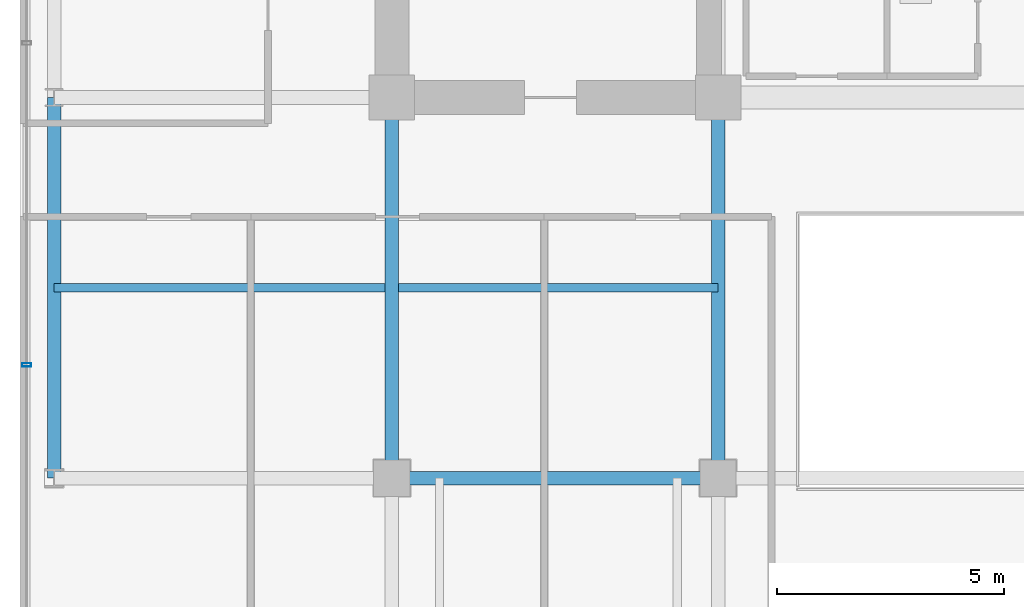
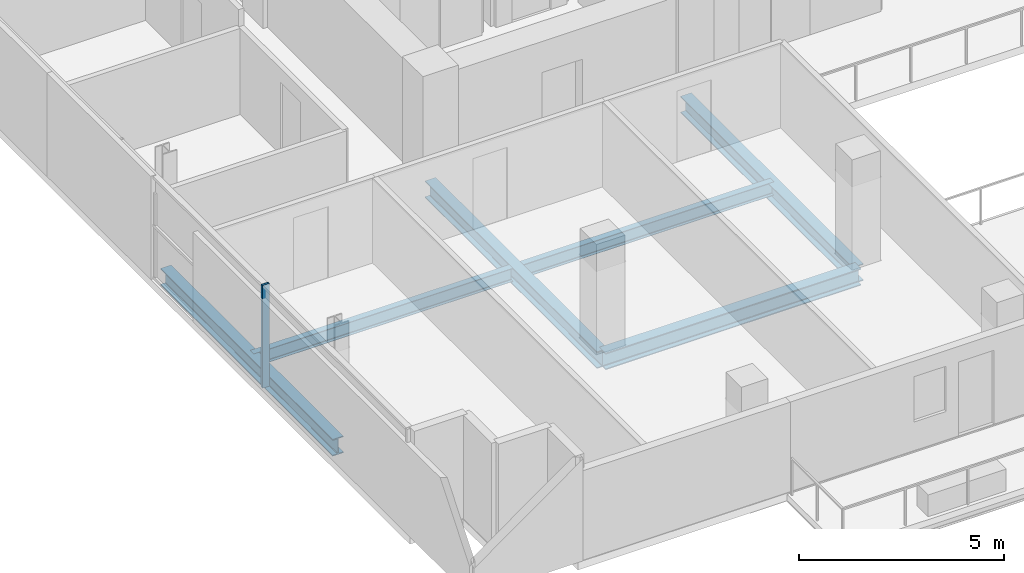
# One storey, part 4 of 23: 6 beams, 1 member, 1 element without a shape of its own.
"""IFC4 building model written with IfcOpenShell, lengths in metres."""

from ifc_helpers import new_model, si_unit, direction, frame, origin, origin_2d, place, context, subcontext, project, spatial, hollow_rectangle, i_section, extrude, source, transform, mapped, material, layer, layer_set, material_profile, profile_set, type_object, element, aggregate, save


model = new_model("IFC4")

# Units and contexts
model_context = context("Model", 3, precision=1e-05, world=origin(), true_north=direction((0.0, 1.0)))
body_context = subcontext(model_context, "Body", "Model", "MODEL_VIEW")
ifc_project = project(units=[si_unit("LENGTHUNIT", "METRE"), si_unit("AREAUNIT", "SQUARE_METRE"), si_unit("VOLUMEUNIT", "CUBIC_METRE"), si_unit("PLANEANGLEUNIT", "RADIAN"), si_unit("MASSUNIT", "GRAM", prefix="KILO")], contexts=[model_context])

# Site, building, storey
site_placement = place(None, origin())
site = spatial("IfcSite", under=ifc_project, at=site_placement, CompositionType="ELEMENT")
building_placement = place(site_placement, origin())
building = spatial("IfcBuilding", under=site, at=building_placement, Name="Zarnakvel Exchange Tower", CompositionType="ELEMENT")
storey_placement = place(building_placement, frame((0.0, 0.0, 175.89990234375)))
storey = spatial("IfcBuildingStorey", under=building, at=storey_placement, Name="L49", CompositionType="ELEMENT", Elevation=175.89990234375)

# Beams
ifc_material_1 = material(Name="Steel S355", Category="steel")
ifc_material_profile_1 = material_profile(ifc_material_1, i_section(OverallWidth=0.179931640625, OverallDepth=0.39990234375, WebThickness=0.008544921875, FlangeThickness=0.013427734375, FilletRadius=0.02099609375, at=origin_2d()))
ifc_profile_set_1 = profile_set([ifc_material_profile_1], Name="Steel S355")
beam_type_1 = type_object("IfcBeamType", Name="B-06", PredefinedType="JOIST", material=ifc_profile_set_1)
beam_1_placement = place(storey_placement, frame((-21.85009765625, -5.39990234375, -0.4248046875), z_axis=(1.0, 0.0, 0.0), x_axis=(0.0, 1.0, 0.0)))
element("IfcBeam", 1, at=beam_1_placement, inside=storey, type_object=beam_type_1, Name="L49 Composite Floor Secondary Joist", PredefinedType="JOIST", context=body_context, shape_type="SweptSolid", body=[
    extrude(i_section(OverallWidth=0.179931640625, OverallDepth=0.39990234375, WebThickness=0.008544921875, FlangeThickness=0.013427734375, FilletRadius=0.02099609375, at=origin_2d()), origin(), (0.0, 0.0, 1.0), 7.300048828125),
])
beam_2_placement = place(storey_placement, frame((-14.25, -5.39990234375, -0.4248046875), z_axis=(1.0, 0.0, 0.0), x_axis=(0.0, 1.0, 0.0)))
element("IfcBeam", 2, at=beam_2_placement, inside=storey, type_object=beam_type_1, Name="L49 Composite Floor Secondary Joist", PredefinedType="JOIST", context=body_context, shape_type="SweptSolid", body=[
    extrude(i_section(OverallWidth=0.179931640625, OverallDepth=0.39990234375, WebThickness=0.008544921875, FlangeThickness=0.013427734375, FilletRadius=0.02099609375, at=origin_2d()), origin(), (0.0, 0.0, 1.0), 7.050048828125),
])
ifc_material_profile_2 = material_profile(ifc_material_1, i_section(OverallWidth=0.300048828125, OverallDepth=0.5, WebThickness=0.014404296875, FlangeThickness=0.028076171875, FilletRadius=0.027099609375, at=origin_2d()))
ifc_profile_set_2 = profile_set([ifc_material_profile_2], Name="Steel S355")
beam_type_2 = type_object("IfcBeamType", Name="G-06", PredefinedType="BEAM", material=ifc_profile_set_2)
beam_3_placement = place(storey_placement, frame((-14.39990234375, -9.60009765625, -0.474853515625), z_axis=(1.0, 0.0, 0.0), x_axis=(0.0, 1.0, 0.0)))
element("IfcBeam", 3, at=beam_3_placement, inside=storey, type_object=beam_type_2, Name="L49 Tower E-W Frame Beam", PredefinedType="BEAM", context=body_context, shape_type="SweptSolid", body=[
    extrude(i_section(OverallWidth=0.300048828125, OverallDepth=0.5, WebThickness=0.014404296875, FlangeThickness=0.028076171875, FilletRadius=0.027099609375, at=origin_2d()), origin(), (0.0, 0.0, 1.0), 7.199951171875),
])
for number, where, z_axis, x_axis, name in (
    (4, (-14.39990234375, -9.60009765625, -0.474853515625), (0.0, 1.0, 0.0), (-1.0, 0.0, 0.0), "L49 Tower N-S Frame Beam"),
    (5, (-7.199951171875, -9.60009765625, -0.474853515625), (0.0, 1.0, 0.0), (-1.0, 0.0, 0.0), "L49 Tower N-S Frame Beam"),
):
    element("IfcBeam", number, at=place(storey_placement, frame(where, z_axis=z_axis, x_axis=x_axis)), inside=storey, type_object=beam_type_2, Name=name, PredefinedType="BEAM", context=body_context, shape_type="SweptSolid", body=[
        extrude(i_section(OverallWidth=0.300048828125, OverallDepth=0.5, WebThickness=0.014404296875, FlangeThickness=0.028076171875, FilletRadius=0.027099609375, at=origin_2d()), origin(), (0.0, 0.0, 1.0), 8.400146484375),
    ])
ifc_material_profile_3 = material_profile(ifc_material_1, i_section(OverallWidth=0.300048828125, OverallDepth=0.5, WebThickness=0.014404296875, FlangeThickness=0.028076171875, FilletRadius=0.027099609375, at=origin_2d()))
ifc_profile_set_3 = profile_set([ifc_material_profile_3], Name="Steel S355")
beam_type_3 = type_object("IfcBeamType", Name="SP-02", PredefinedType="SPANDREL", material=ifc_profile_set_3)
beam_4_placement = place(storey_placement, frame((-21.85009765625, -9.60009765625, -0.474853515625), z_axis=(0.0, 1.0, 0.0), x_axis=(-1.0, 0.0, 0.0)))
element("IfcBeam", 6, at=beam_4_placement, inside=storey, type_object=beam_type_3, Name="L49 Tower N-S Frame Beam", PredefinedType="SPANDREL", context=body_context, shape_type="SweptSolid", body=[
    extrude(i_section(OverallWidth=0.300048828125, OverallDepth=0.5, WebThickness=0.014404296875, FlangeThickness=0.028076171875, FilletRadius=0.027099609375, at=origin_2d()), origin(), (0.0, 0.0, 1.0), 8.400146484375),
])

# Curtain wall, member
ifc_material_2 = material(Name="Architectural Bronze Anodised Aluminium", Category="aluminium")
ifc_layer = layer(ifc_material_2, 0.199951171875)
ifc_layer_set = layer_set([ifc_layer], Name="Architectural Bronze Anodised Aluminium")
curtain_wall_type = type_object("IfcCurtainWallType", Name="CW-04", PredefinedType="NOTDEFINED", material=ifc_layer_set)
curtain_wall_placement = place(storey_placement, origin())
curtain_wall = element("IfcCurtainWall", 7, at=curtain_wall_placement, inside=storey, type_object=curtain_wall_type, Name="L49 Curtain Wall CW-L49-W1 (CW-04)", PredefinedType="NOTDEFINED")
ifc_material_profile_4 = material_profile(ifc_material_2, hollow_rectangle(XDim=0.199951171875, YDim=0.074951171875, WallThickness=0.0048828125, at=origin_2d()))
ifc_profile_set_4 = profile_set([ifc_material_profile_4], Name="Architectural Bronze Anodised Aluminium")
member_type = type_object("IfcMemberType", Name="CWM-04", PredefinedType="MULLION", material=ifc_profile_set_4)
shared_shape = source(origin(), body_context, "Body", "SweptSolid", [
    extrude(hollow_rectangle(XDim=0.199951171875, YDim=0.074951171875, WallThickness=0.0048828125, at=origin_2d()), origin(), (0.0, 0.0, 1.0), 3.05517578125),
])
member_placement = place(storey_placement, frame((-22.4599609375, -7.10009765625, 0.0), z_axis=(0.0, 0.0, 1.0), x_axis=(-1.0, 0.0, 0.0)))
member = element("IfcMember", 8, at=member_placement, type_object=member_type, Name="CW-04 mullion 2", PredefinedType="MULLION", context=body_context, shape_type="MappedRepresentation", body=[
    mapped(shared_shape, transform((0.0, 0.0, 0.0), x_axis=(1.0, 0.0, 0.0), y_axis=(0.0, 1.0, 0.0), z_axis=(0.0, 0.0, 1.0), scale=1.0)),
])
aggregate(curtain_wall, [member])

save(model, "model.ifc")
